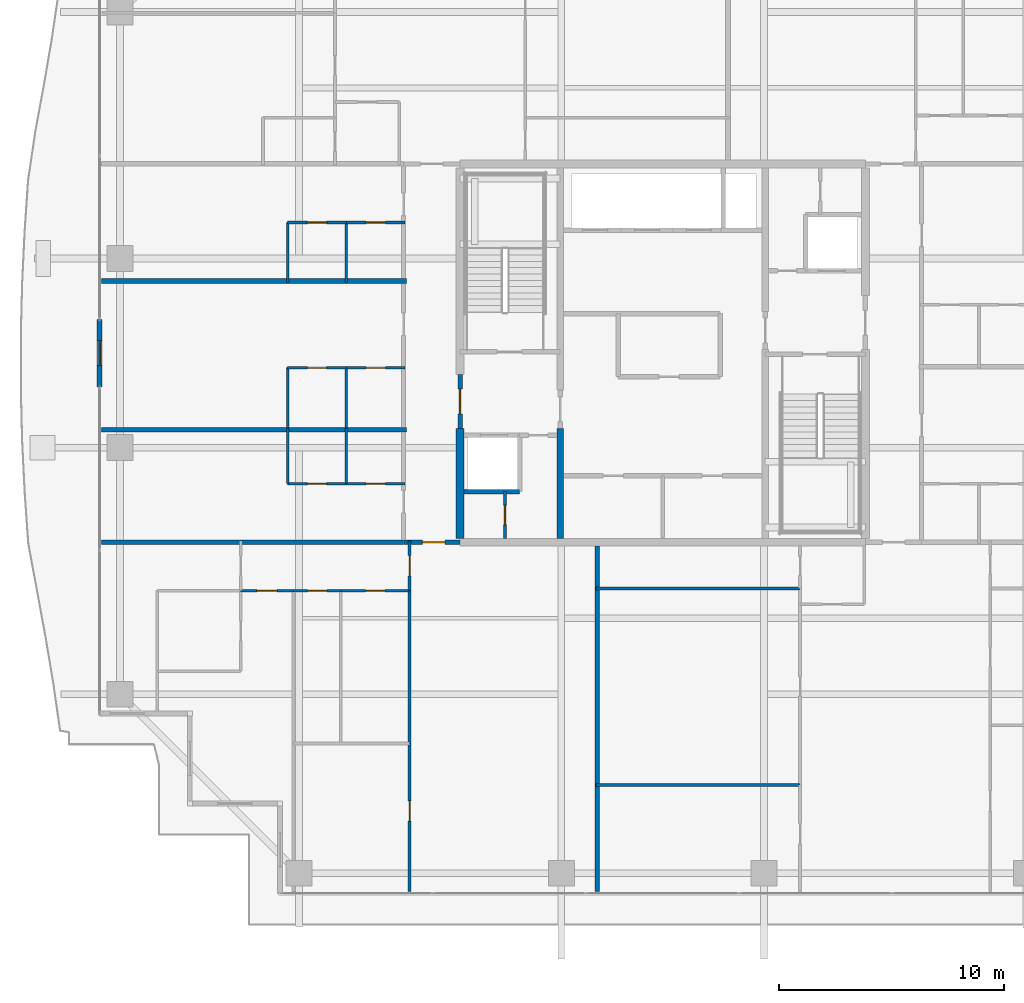
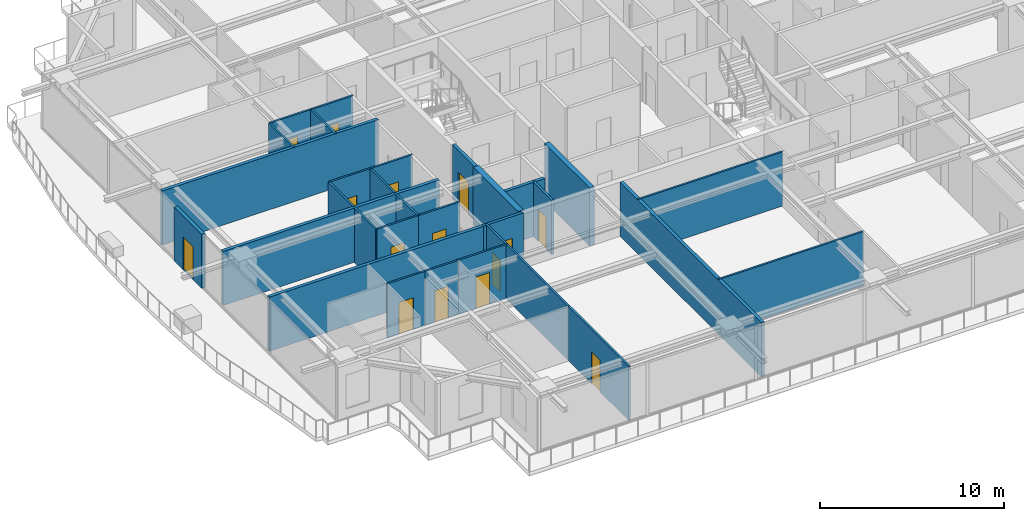
# One storey, part 27 of 38: 31 walls, 15 doors, 15 openings.
"""IFC4 building model written with IfcOpenShell, lengths in metres."""

from ifc_helpers import new_model, si_unit, direction, frame, frame_2d, origin, place, context, subcontext, project, spatial, rectangle, extrude, source, transform, mapped, material, layer, layer_set, type_object, element, fill, save


model = new_model("IFC4")

# Units and contexts
model_context = context("Model", 3, precision=1e-05, world=origin(), true_north=direction((0.0, 1.0)))
body_context = subcontext(model_context, "Body", "Model", "MODEL_VIEW")
ifc_project = project(units=[si_unit("LENGTHUNIT", "METRE"), si_unit("AREAUNIT", "SQUARE_METRE"), si_unit("VOLUMEUNIT", "CUBIC_METRE"), si_unit("PLANEANGLEUNIT", "RADIAN"), si_unit("MASSUNIT", "GRAM", prefix="KILO")], contexts=[model_context])

# Site, building, storey
site_placement = place(None, origin())
site = spatial("IfcSite", under=ifc_project, at=site_placement, CompositionType="ELEMENT")
building_placement = place(site_placement, origin())
building = spatial("IfcBuilding", under=site, at=building_placement, Name="Serunith Strait Residences", CompositionType="ELEMENT")
storey_placement = place(building_placement, frame((0.0, 0.0, 237.39990234375)))
storey = spatial("IfcBuildingStorey", under=building, at=storey_placement, Name="L59", CompositionType="ELEMENT", Elevation=237.39990234375)

# Wall, opening, door
ifc_material_1 = material(Name="Pale-Champagne Aluminium Insulated Panel", Category="aluminium")
ifc_layer_1 = layer(ifc_material_1, 0.219970703125, Name="Pale-Champagne Aluminium Insulated Panel")
ifc_layer_set_1 = layer_set([ifc_layer_1], Name="Pale-Champagne Aluminium Insulated Panel")
wall_type_1 = type_object("IfcWallType", Name="EW-ALUM-220", PredefinedType="ELEMENTEDWALL", material=ifc_layer_set_1)
wall_1_placement = place(storey_placement, frame((7.39990234375, 26.699951171875, 0.0), z_axis=(0.0, 0.0, 1.0), x_axis=(0.0, -1.0, 0.0)))
wall_1 = element("IfcWall", 1, at=wall_1_placement, inside=storey, type_object=wall_type_1, Name="L59 W Facade Pier Wall", PredefinedType="ELEMENTEDWALL", context=body_context, shape_type="SweptSolid", body=[
    extrude(rectangle(XDim=3.0, YDim=0.219970703125, at=frame_2d((1.5, 0.0))), origin(), (0.0, 0.0, 1.0), 3.5751953125),
])
opening_1_placement = place(wall_1_placement, frame((0.949951171875, 0.0, 0.0)))
opening_1 = element("IfcOpeningElement", 2, at=opening_1_placement, cuts=wall_1, Name="Opening ED-03", PredefinedType="OPENING", context=body_context, shape_type="SweptSolid", body=[
    extrude(rectangle(XDim=1.10009765625, YDim=2.199951171875, at=frame_2d((0.550048828125, 1.10009765625))), frame((0.0, 0.1201171875, 0.0), z_axis=(0.0, -1.0, 0.0), x_axis=(1.0, 0.0, 0.0)), (0.0, 0.0, 1.0), 0.239990234375),
])
ifc_material_2 = material(Name="Thermally-Broken Aluminium Glazed Balcony Door", Category="aluminium")
door_type_1 = type_object("IfcDoorType", Name="ED-BALC-1100", OperationType="NOTDEFINED", PredefinedType="DOOR", material=ifc_material_2)
shared_shape_1 = source(origin(), body_context, "Body", "SweptSolid", [
    extrude(rectangle(XDim=1.10009765625, YDim=2.199951171875, at=frame_2d((0.550048828125, 1.10009765625))), frame((0.0, 0.02490234375, 0.0), z_axis=(0.0, -1.0, 0.0), x_axis=(1.0, 0.0, 0.0)), (0.0, 0.0, 1.0), 0.050048828125),
])
door_1_placement = place(opening_1_placement, origin())
door_1 = element("IfcDoor", 3, at=door_1_placement, inside=storey, type_object=door_type_1, Name="L59 W Vertical-Forest Balcony Door", OperationType="SINGLE_SWING_LEFT", OverallHeight=2.199951171875, OverallWidth=1.10009765625, PredefinedType="DOOR", context=body_context, shape_type="MappedRepresentation", body=[
    mapped(shared_shape_1, transform((0.0, 0.0, 0.0), scale=1.0)),
])
fill(opening_1, door_1)

ifc_material_3 = material(Name="Fire-rated masonry service closet wall", Category="masonry")
ifc_layer_2 = layer(ifc_material_3, 0.14990234375, Name="Fire-rated masonry service closet wall")
ifc_layer_set_2 = layer_set([ifc_layer_2], Name="Fire-rated masonry service closet wall")
wall_type_2 = type_object("IfcWallType", Name="IW-BOH-150", PredefinedType="PARTITIONING", material=ifc_layer_set_2)
wall_2_placement = place(storey_placement, frame((25.39990234375, 16.97509765625, 0.0), z_axis=(0.0, 0.0, 1.0), x_axis=(0.0, 1.0, 0.0)))
wall_2 = element("IfcWall", 4, at=wall_2_placement, inside=storey, type_object=wall_type_2, Name="L59 Partition Wall 011", PredefinedType="PARTITIONING", context=body_context, shape_type="SweptSolid", body=[
    extrude(rectangle(XDim=2.074951171875, YDim=0.14990234375, at=frame_2d((1.03759765625, 0.0))), origin(), (0.0, 0.0, 1.0), 3.590087890625),
])
opening_2_placement = place(wall_2_placement, frame((0.612060546875, 0.0, 0.0)))
opening_2 = element("IfcOpeningElement", 5, at=opening_2_placement, cuts=wall_2, Name="Opening FD-850", PredefinedType="OPENING", context=body_context, shape_type="SweptSolid", body=[
    extrude(rectangle(XDim=0.85009765625, YDim=2.10009765625, at=frame_2d((0.425048828125, 1.050048828125))), frame((0.0, 0.0849609375, 0.0), z_axis=(0.0, -1.0, 0.0), x_axis=(1.0, 0.0, 0.0)), (0.0, 0.0, 1.0), 0.169921875),
])
ifc_material_4 = material(Name="Powder-coated steel service closet door", Category="steel")
door_type_2 = type_object("IfcDoorType", Name="FD-BOH-850", OperationType="NOTDEFINED", PredefinedType="DOOR", material=ifc_material_4)
shared_shape_2 = source(origin(), body_context, "Body", "SweptSolid", [
    extrude(rectangle(XDim=0.85009765625, YDim=2.10009765625, at=frame_2d((0.425048828125, 1.050048828125))), frame((0.0, 0.02490234375, 0.0), z_axis=(0.0, -1.0, 0.0), x_axis=(1.0, 0.0, 0.0)), (0.0, 0.0, 1.0), 0.050048828125),
])
door_2_placement = place(opening_2_placement, origin())
door_2 = element("IfcDoor", 6, at=door_2_placement, inside=storey, type_object=door_type_2, Name="L59 Sprinkler Plant Door", OperationType="SINGLE_SWING_LEFT", OverallHeight=2.10009765625, OverallWidth=0.85009765625, PredefinedType="DOOR", context=body_context, shape_type="MappedRepresentation", body=[
    mapped(shared_shape_2, transform((0.0, 0.0, 0.0), scale=1.0)),
])
fill(opening_2, door_2)

ifc_material_5 = material(Name="Fire-rated acoustic gypsum partition")
ifc_layer_3 = layer(ifc_material_5, 0.179931640625, Name="Fire-rated acoustic gypsum partition")
ifc_layer_set_3 = layer_set([ifc_layer_3], Name="Fire-rated acoustic gypsum partition")
wall_type_3 = type_object("IfcWallType", Name="IW-CORR-180", PredefinedType="PARTITIONING", material=ifc_layer_set_3)
wall_3_placement = place(storey_placement, frame((20.902099609375, 16.800048828125, 0.0), z_axis=(0.0, 0.0, 1.0), x_axis=(1.0, 0.0, 0.0)))
wall_3 = element("IfcWall", 7, at=wall_3_placement, inside=storey, type_object=wall_type_3, Name="L59 Partition Wall 029", PredefinedType="PARTITIONING", context=body_context, shape_type="SweptSolid", body=[
    extrude(rectangle(XDim=2.495849609375, YDim=0.179931640625, at=frame_2d((1.248046875, 0.0))), origin(), (0.0, 0.0, 1.0), 3.590087890625),
])
opening_3_placement = place(wall_3_placement, frame((0.830078125, 0.0, 0.0)))
opening_3 = element("IfcOpeningElement", 8, at=opening_3_placement, cuts=wall_3, Name="Opening D-APT1000", PredefinedType="OPENING", context=body_context, shape_type="SweptSolid", body=[
    extrude(rectangle(XDim=1.0, YDim=2.14990234375, at=frame_2d((0.5, 1.074951171875))), frame((0.0, 0.10009765625, 0.0), z_axis=(0.0, -1.0, 0.0), x_axis=(1.0, 0.0, 0.0)), (0.0, 0.0, 1.0), 0.199951171875),
])
ifc_material_6 = material(Name="Solid timber engineered fire door", Category="wood")
door_type_3 = type_object("IfcDoorType", Name="ID-APT-1000", OperationType="NOTDEFINED", PredefinedType="DOOR", material=ifc_material_6)
shared_shape_3 = source(origin(), body_context, "Body", "SweptSolid", [
    extrude(rectangle(XDim=1.0, YDim=2.14990234375, at=frame_2d((0.5, 1.074951171875))), frame((0.0, 0.02490234375, 0.0), z_axis=(0.0, -1.0, 0.0), x_axis=(1.0, 0.0, 0.0)), (0.0, 0.0, 1.0), 0.050048828125),
])
door_3_placement = place(opening_3_placement, origin())
door_3 = element("IfcDoor", 9, at=door_3_placement, inside=storey, type_object=door_type_3, Name="L59 Unit 01 Entrance Door", OperationType="SINGLE_SWING_RIGHT", OverallHeight=2.14990234375, OverallWidth=1.0, PredefinedType="DOOR", context=body_context, shape_type="MappedRepresentation", body=[
    mapped(shared_shape_3, transform((0.0, 0.0, 0.0), scale=1.0)),
])
fill(opening_3, door_3)

ifc_material_7 = material(Name="Lightweight steel-stud gypsum partition", Category="steel")
ifc_layer_4 = layer(ifc_material_7, 0.1201171875, Name="Lightweight steel-stud gypsum partition")
ifc_layer_set_4 = layer_set([ifc_layer_4], Name="Lightweight steel-stud gypsum partition")
wall_type_4 = type_object("IfcWallType", Name="IW-PART-120", PredefinedType="PARTITIONING", material=ifc_layer_set_4)
wall_4_placement = place(storey_placement, frame((21.159912109375, 14.64990234375, 0.0), z_axis=(0.0, 0.0, 1.0), x_axis=(0.0, 1.0, 0.0)))
wall_4 = element("IfcWall", 10, at=wall_4_placement, inside=storey, type_object=wall_type_4, Name="L59 Partition Wall 035", PredefinedType="PARTITIONING", context=body_context, shape_type="SweptSolid", body=[
    extrude(rectangle(XDim=2.210205078125, YDim=0.1201171875, at=frame_2d((1.10498046875, 0.0))), origin(), (0.0, 0.0, 1.0), 3.590087890625),
])
opening_4_placement = place(wall_4_placement, frame((0.655029296875, 0.0, 0.0)))
opening_4 = element("IfcOpeningElement", 11, at=opening_4_placement, cuts=wall_4, Name="Opening D-RM900", PredefinedType="OPENING", context=body_context, shape_type="SweptSolid", body=[
    extrude(rectangle(XDim=0.89990234375, YDim=2.10009765625, at=frame_2d((0.449951171875, 1.050048828125))), frame((0.0, 0.070068359375, 0.0), z_axis=(0.0, -1.0, 0.0), x_axis=(1.0, 0.0, 0.0)), (0.0, 0.0, 1.0), 0.14013671875),
])
ifc_material_8 = material(Name="Engineered timber flush bedroom door", Category="wood")
door_type_4 = type_object("IfcDoorType", Name="ID-ROOM-900", OperationType="NOTDEFINED", PredefinedType="DOOR", material=ifc_material_8)
shared_shape_4 = source(origin(), body_context, "Body", "SweptSolid", [
    extrude(rectangle(XDim=0.89990234375, YDim=2.10009765625, at=frame_2d((0.449951171875, 1.050048828125))), frame((0.0, 0.02490234375, 0.0), z_axis=(0.0, -1.0, 0.0), x_axis=(1.0, 0.0, 0.0)), (0.0, 0.0, 1.0), 0.050048828125),
])
door_4_placement = place(opening_4_placement, origin())
door_4 = element("IfcDoor", 12, at=door_4_placement, inside=storey, type_object=door_type_4, Name="L59 Hall W 5901 Door", OperationType="SINGLE_SWING_LEFT", OverallHeight=2.10009765625, OverallWidth=0.89990234375, PredefinedType="DOOR", context=body_context, shape_type="MappedRepresentation", body=[
    mapped(shared_shape_4, transform((0.0, 0.0, 0.0), scale=1.0)),
])
fill(opening_4, door_4)

wall_5_placement = place(storey_placement, frame((21.159912109375, 1.294921875, 0.0), z_axis=(0.0, 0.0, 1.0), x_axis=(0.0, 1.0, 0.0)))
wall_5 = element("IfcWall", 13, at=wall_5_placement, inside=storey, type_object=wall_type_4, Name="L59 Partition Wall 036", PredefinedType="PARTITIONING", context=body_context, shape_type="SweptSolid", body=[
    extrude(rectangle(XDim=6.565185546875, YDim=0.1201171875, at=frame_2d((3.28271484375, 0.0))), origin(), (0.0, 0.0, 1.0), 3.590087890625),
])
opening_5_placement = place(wall_5_placement, frame((3.115966796875, 0.0, 0.0)))
opening_5 = element("IfcOpeningElement", 14, at=opening_5_placement, cuts=wall_5, Name="Opening D-RM900", PredefinedType="OPENING", context=body_context, shape_type="SweptSolid", body=[
    extrude(rectangle(XDim=0.89990234375, YDim=2.10009765625, at=frame_2d((0.449951171875, 1.050048828125))), frame((0.0, 0.070068359375, 0.0), z_axis=(0.0, -1.0, 0.0), x_axis=(1.0, 0.0, 0.0)), (0.0, 0.0, 1.0), 0.14013671875),
])
door_5_placement = place(opening_5_placement, origin())
door_5 = element("IfcDoor", 15, at=door_5_placement, inside=storey, type_object=door_type_4, Name="L59 Formal Dining Room 1 5901 Door", OperationType="SINGLE_SWING_RIGHT", OverallHeight=2.10009765625, OverallWidth=0.89990234375, PredefinedType="DOOR", context=body_context, shape_type="MappedRepresentation", body=[
    mapped(shared_shape_4, transform((0.0, 0.0, 0.0), scale=1.0)),
])
fill(opening_5, door_5)

# Wall
wall_6_placement = place(storey_placement, frame((21.159912109375, 7.862060546875, 0.0), z_axis=(0.0, 0.0, 1.0), x_axis=(0.0, 1.0, 0.0)))
element("IfcWall", 16, at=wall_6_placement, inside=storey, type_object=wall_type_4, Name="L59 Partition Wall 037", PredefinedType="PARTITIONING", context=body_context, shape_type="SweptSolid", body=[
    extrude(rectangle(XDim=6.785888671875, YDim=0.1201171875, at=frame_2d((3.39306640625, 0.0))), origin(), (0.0, 0.0, 1.0), 3.590087890625),
])

# Wall, opening, door
wall_7_placement = place(storey_placement, frame((16.010009765625, 14.64990234375, 0.0), z_axis=(0.0, 0.0, 1.0), x_axis=(1.0, 0.0, 0.0)))
wall_7 = element("IfcWall", 17, at=wall_7_placement, inside=storey, type_object=wall_type_4, Name="L59 Partition Wall 041", PredefinedType="PARTITIONING", context=body_context, shape_type="SweptSolid", body=[
    extrude(rectangle(XDim=2.10009765625, YDim=0.1201171875, at=frame_2d((1.050048828125, 0.0))), origin(), (0.0, 0.0, 1.0), 3.590087890625),
])
opening_6_placement = place(wall_7_placement, frame((0.625, 0.0, 0.0)))
opening_6 = element("IfcOpeningElement", 18, at=opening_6_placement, cuts=wall_7, Name="Opening D-BTH850", PredefinedType="OPENING", context=body_context, shape_type="SweptSolid", body=[
    extrude(rectangle(XDim=0.85009765625, YDim=2.10009765625, at=frame_2d((0.425048828125, 1.050048828125))), frame((0.0, 0.070068359375, 0.0), z_axis=(0.0, -1.0, 0.0), x_axis=(1.0, 0.0, 0.0)), (0.0, 0.0, 1.0), 0.14013671875),
])
ifc_material_9 = material(Name="Moisture-resistant timber bathroom door", Category="wood")
door_type_5 = type_object("IfcDoorType", Name="ID-BATH-850", OperationType="NOTDEFINED", PredefinedType="DOOR", material=ifc_material_9)
door_6_placement = place(opening_6_placement, origin())
door_6 = element("IfcDoor", 19, at=door_6_placement, inside=storey, type_object=door_type_5, Name="L59 Bathroom 5901 Door", OperationType="SINGLE_SWING_LEFT", OverallHeight=2.10009765625, OverallWidth=0.85009765625, PredefinedType="DOOR", context=body_context, shape_type="MappedRepresentation", body=[
    mapped(shared_shape_2, transform((0.0, 0.0, 0.0), scale=1.0)),
])
fill(opening_6, door_6)

wall_8_placement = place(storey_placement, frame((18.112060546875, 14.64990234375, 0.0), z_axis=(0.0, 0.0, 1.0), x_axis=(1.0, 0.0, 0.0)))
wall_8 = element("IfcWall", 20, at=wall_8_placement, inside=storey, type_object=wall_type_4, Name="L59 Partition Wall 042", PredefinedType="PARTITIONING", context=body_context, shape_type="SweptSolid", body=[
    extrude(rectangle(XDim=3.0478515625, YDim=0.1201171875, at=frame_2d((1.52392578125, 0.0))), origin(), (0.0, 0.0, 1.0), 3.590087890625),
])
opening_7_placement = place(wall_8_placement, frame((1.09912109375, 0.0, 0.0)))
opening_7 = element("IfcOpeningElement", 21, at=opening_7_placement, cuts=wall_8, Name="Opening D-RM850", PredefinedType="OPENING", context=body_context, shape_type="SweptSolid", body=[
    extrude(rectangle(XDim=0.85009765625, YDim=2.10009765625, at=frame_2d((0.425048828125, 1.050048828125))), frame((0.0, 0.070068359375, 0.0), z_axis=(0.0, -1.0, 0.0), x_axis=(1.0, 0.0, 0.0)), (0.0, 0.0, 1.0), 0.14013671875),
])
ifc_material_10 = material(Name="Engineered timber flush study and kitchen door", Category="wood")
door_type_6 = type_object("IfcDoorType", Name="ID-ROOM-850", OperationType="NOTDEFINED", PredefinedType="DOOR", material=ifc_material_10)
door_7_placement = place(opening_7_placement, origin())
door_7 = element("IfcDoor", 22, at=door_7_placement, inside=storey, type_object=door_type_6, Name="L59 Kitchen 5901 Door", OperationType="SINGLE_SWING_RIGHT", OverallHeight=2.10009765625, OverallWidth=0.85009765625, PredefinedType="DOOR", context=body_context, shape_type="MappedRepresentation", body=[
    mapped(shared_shape_2, transform((0.0, 0.0, 0.0), scale=1.0)),
])
fill(opening_7, door_7)

wall_9_placement = place(storey_placement, frame((13.659912109375, 14.64990234375, 0.0), z_axis=(0.0, 0.0, 1.0), x_axis=(1.0, 0.0, 0.0)))
wall_9 = element("IfcWall", 23, at=wall_9_placement, inside=storey, type_object=wall_type_4, Name="L59 Partition Wall 043", PredefinedType="PARTITIONING", context=body_context, shape_type="SweptSolid", body=[
    extrude(rectangle(XDim=2.34814453125, YDim=0.1201171875, at=frame_2d((1.174072265625, 0.0))), origin(), (0.0, 0.0, 1.0), 3.590087890625),
])
opening_8_placement = place(wall_9_placement, frame((0.72412109375, 0.0, 0.0)))
opening_8 = element("IfcOpeningElement", 24, at=opening_8_placement, cuts=wall_9, Name="Opening D-RM900", PredefinedType="OPENING", context=body_context, shape_type="SweptSolid", body=[
    extrude(rectangle(XDim=0.89990234375, YDim=2.10009765625, at=frame_2d((0.449951171875, 1.050048828125))), frame((0.0, 0.070068359375, 0.0), z_axis=(0.0, -1.0, 0.0), x_axis=(1.0, 0.0, 0.0)), (0.0, 0.0, 1.0), 0.14013671875),
])
door_8_placement = place(opening_8_placement, origin())
door_8 = element("IfcDoor", 25, at=door_8_placement, inside=storey, type_object=door_type_4, Name="L59 Master Bedroom W 5901 Door", OperationType="SINGLE_SWING_LEFT", OverallHeight=2.10009765625, OverallWidth=0.89990234375, PredefinedType="DOOR", context=body_context, shape_type="MappedRepresentation", body=[
    mapped(shared_shape_4, transform((0.0, 0.0, 0.0), scale=1.0)),
])
fill(opening_8, door_8)

# Walls
for number, where, z_axis, x_axis, name in (
    (26, (29.43994140625, 6.02197265625, 0.0), (0.0, 0.0, 1.0), (1.0, 0.0, 0.0), "L59 Partition Wall 052"),
    (27, (29.43994140625, 14.75, 0.0), (0.0, 0.0, 1.0), (1.0, 0.0, 0.0), "L59 Partition Wall 053"),
):
    element("IfcWall", number, at=place(storey_placement, frame(where, z_axis=z_axis, x_axis=x_axis)), inside=storey, type_object=wall_type_4, Name=name, PredefinedType="PARTITIONING", context=body_context, shape_type="SweptSolid", body=[
        extrude(rectangle(XDim=9.06005859375, YDim=0.1201171875, at=frame_2d((4.530029296875, 0.0))), origin(), (0.0, 0.0, 1.0), 3.590087890625),
    ])

# Wall, opening, door
wall_10_placement = place(storey_placement, frame((15.75, 19.39990234375, 0.0), z_axis=(0.0, 0.0, 1.0), x_axis=(1.0, 0.0, 0.0)))
wall_10 = element("IfcWall", 28, at=wall_10_placement, inside=storey, type_object=wall_type_4, Name="L59 Partition Wall 089", PredefinedType="PARTITIONING", context=body_context, shape_type="SweptSolid", body=[
    extrude(rectangle(XDim=2.60009765625, YDim=0.1201171875, at=frame_2d((1.300048828125, 0.0))), origin(), (0.0, 0.0, 1.0), 3.590087890625),
])
opening_9_placement = place(wall_10_placement, frame((0.875, 0.0, 0.0)))
opening_9 = element("IfcOpeningElement", 29, at=opening_9_placement, cuts=wall_10, Name="Opening D-RM850", PredefinedType="OPENING", context=body_context, shape_type="SweptSolid", body=[
    extrude(rectangle(XDim=0.85009765625, YDim=2.10009765625, at=frame_2d((0.425048828125, 1.050048828125))), frame((0.0, 0.070068359375, 0.0), z_axis=(0.0, -1.0, 0.0), x_axis=(1.0, 0.0, 0.0)), (0.0, 0.0, 1.0), 0.14013671875),
])
door_9_placement = place(opening_9_placement, origin())
door_9 = element("IfcDoor", 30, at=door_9_placement, inside=storey, type_object=door_type_6, Name="L59 Kitchen 5905 Door", OperationType="SINGLE_SWING_LEFT", OverallHeight=2.10009765625, OverallWidth=0.85009765625, PredefinedType="DOOR", context=body_context, shape_type="MappedRepresentation", body=[
    mapped(shared_shape_2, transform((0.0, 0.0, 0.0), scale=1.0)),
])
fill(opening_9, door_9)

wall_11_placement = place(storey_placement, frame((18.35205078125, 19.39990234375, 0.0), z_axis=(0.0, 0.0, 1.0), x_axis=(1.0, 0.0, 0.0)))
wall_11 = element("IfcWall", 31, at=wall_11_placement, inside=storey, type_object=wall_type_4, Name="L59 Partition Wall 090", PredefinedType="PARTITIONING", context=body_context, shape_type="SweptSolid", body=[
    extrude(rectangle(XDim=2.60791015625, YDim=0.1201171875, at=frame_2d((1.303955078125, 0.0))), origin(), (0.0, 0.0, 1.0), 3.590087890625),
])
opening_10_placement = place(wall_11_placement, frame((0.87890625, 0.0, 0.0)))
opening_10 = element("IfcOpeningElement", 32, at=opening_10_placement, cuts=wall_11, Name="Opening D-BTH850", PredefinedType="OPENING", context=body_context, shape_type="SweptSolid", body=[
    extrude(rectangle(XDim=0.85009765625, YDim=2.10009765625, at=frame_2d((0.425048828125, 1.050048828125))), frame((0.0, 0.070068359375, 0.0), z_axis=(0.0, -1.0, 0.0), x_axis=(1.0, 0.0, 0.0)), (0.0, 0.0, 1.0), 0.14013671875),
])
door_10_placement = place(opening_10_placement, origin())
door_10 = element("IfcDoor", 33, at=door_10_placement, inside=storey, type_object=door_type_5, Name="L59 Bathroom 5905 Door", OperationType="SINGLE_SWING_RIGHT", OverallHeight=2.10009765625, OverallWidth=0.85009765625, PredefinedType="DOOR", context=body_context, shape_type="MappedRepresentation", body=[
    mapped(shared_shape_2, transform((0.0, 0.0, 0.0), scale=1.0)),
])
fill(opening_10, door_10)

# Walls
for number, where, z_axis, x_axis, name in (
    (34, (18.35009765625, 19.39990234375, 0.0), (0.0, 0.0, 1.0), (0.0, 1.0, 0.0), "L59 Partition Wall 091"),
    (35, (15.75, 19.39990234375, 0.0), (0.0, 0.0, 1.0), (0.0, 1.0, 0.0), "L59 Partition Wall 092"),
):
    element("IfcWall", number, at=place(storey_placement, frame(where, z_axis=z_axis, x_axis=x_axis)), inside=storey, type_object=wall_type_4, Name=name, PredefinedType="PARTITIONING", context=body_context, shape_type="SweptSolid", body=[
        extrude(rectangle(XDim=2.460205078125, YDim=0.1201171875, at=frame_2d((1.22998046875, 0.0))), origin(), (0.0, 0.0, 1.0), 3.590087890625),
    ])

# Wall, opening, door
wall_12_placement = place(storey_placement, frame((15.75, 24.550048828125, 0.0), z_axis=(0.0, 0.0, 1.0), x_axis=(1.0, 0.0, 0.0)))
wall_12 = element("IfcWall", 36, at=wall_12_placement, inside=storey, type_object=wall_type_4, Name="L59 Partition Wall 093", PredefinedType="PARTITIONING", context=body_context, shape_type="SweptSolid", body=[
    extrude(rectangle(XDim=2.60009765625, YDim=0.1201171875, at=frame_2d((1.300048828125, 0.0))), origin(), (0.0, 0.0, 1.0), 3.590087890625),
])
opening_11_placement = place(wall_12_placement, frame((0.875, 0.0, 0.0)))
opening_11 = element("IfcOpeningElement", 37, at=opening_11_placement, cuts=wall_12, Name="Opening D-RM850", PredefinedType="OPENING", context=body_context, shape_type="SweptSolid", body=[
    extrude(rectangle(XDim=0.85009765625, YDim=2.10009765625, at=frame_2d((0.425048828125, 1.050048828125))), frame((0.0, 0.070068359375, 0.0), z_axis=(0.0, -1.0, 0.0), x_axis=(1.0, 0.0, 0.0)), (0.0, 0.0, 1.0), 0.14013671875),
])
door_11_placement = place(opening_11_placement, origin())
door_11 = element("IfcDoor", 38, at=door_11_placement, inside=storey, type_object=door_type_6, Name="L59 Kitchen 5906 Door", OperationType="SINGLE_SWING_LEFT", OverallHeight=2.10009765625, OverallWidth=0.85009765625, PredefinedType="DOOR", context=body_context, shape_type="MappedRepresentation", body=[
    mapped(shared_shape_2, transform((0.0, 0.0, 0.0), scale=1.0)),
])
fill(opening_11, door_11)

wall_13_placement = place(storey_placement, frame((18.35205078125, 24.550048828125, 0.0), z_axis=(0.0, 0.0, 1.0), x_axis=(1.0, 0.0, 0.0)))
wall_13 = element("IfcWall", 39, at=wall_13_placement, inside=storey, type_object=wall_type_4, Name="L59 Partition Wall 094", PredefinedType="PARTITIONING", context=body_context, shape_type="SweptSolid", body=[
    extrude(rectangle(XDim=2.60791015625, YDim=0.1201171875, at=frame_2d((1.303955078125, 0.0))), origin(), (0.0, 0.0, 1.0), 3.590087890625),
])
opening_12_placement = place(wall_13_placement, frame((0.87890625, 0.0, 0.0)))
opening_12 = element("IfcOpeningElement", 40, at=opening_12_placement, cuts=wall_13, Name="Opening D-BTH850", PredefinedType="OPENING", context=body_context, shape_type="SweptSolid", body=[
    extrude(rectangle(XDim=0.85009765625, YDim=2.10009765625, at=frame_2d((0.425048828125, 1.050048828125))), frame((0.0, 0.070068359375, 0.0), z_axis=(0.0, -1.0, 0.0), x_axis=(1.0, 0.0, 0.0)), (0.0, 0.0, 1.0), 0.14013671875),
])
door_12_placement = place(opening_12_placement, origin())
door_12 = element("IfcDoor", 41, at=door_12_placement, inside=storey, type_object=door_type_5, Name="L59 Bathroom 5906 Door", OperationType="SINGLE_SWING_RIGHT", OverallHeight=2.10009765625, OverallWidth=0.85009765625, PredefinedType="DOOR", context=body_context, shape_type="MappedRepresentation", body=[
    mapped(shared_shape_2, transform((0.0, 0.0, 0.0), scale=1.0)),
])
fill(opening_12, door_12)

# Walls
for number, where, z_axis, x_axis, name in (
    (42, (18.35009765625, 21.862060546875, 0.0), (0.0, 0.0, 1.0), (0.0, 1.0, 0.0), "L59 Partition Wall 095"),
    (43, (15.75, 21.862060546875, 0.0), (0.0, 0.0, 1.0), (0.0, 1.0, 0.0), "L59 Partition Wall 096"),
):
    element("IfcWall", number, at=place(storey_placement, frame(where, z_axis=z_axis, x_axis=x_axis)), inside=storey, type_object=wall_type_4, Name=name, PredefinedType="PARTITIONING", context=body_context, shape_type="SweptSolid", body=[
        extrude(rectangle(XDim=2.68798828125, YDim=0.1201171875, at=frame_2d((1.343994140625, 0.0))), origin(), (0.0, 0.0, 1.0), 3.590087890625),
    ])

# Wall, opening, door
wall_14_placement = place(storey_placement, frame((15.75, 31.0, 0.0), z_axis=(0.0, 0.0, 1.0), x_axis=(1.0, 0.0, 0.0)))
wall_14 = element("IfcWall", 44, at=wall_14_placement, inside=storey, type_object=wall_type_4, Name="L59 Partition Wall 097", PredefinedType="PARTITIONING", context=body_context, shape_type="SweptSolid", body=[
    extrude(rectangle(XDim=2.60009765625, YDim=0.1201171875, at=frame_2d((1.300048828125, 0.0))), origin(), (0.0, 0.0, 1.0), 3.590087890625),
])
opening_13_placement = place(wall_14_placement, frame((0.875, 0.0, 0.0)))
opening_13 = element("IfcOpeningElement", 45, at=opening_13_placement, cuts=wall_14, Name="Opening D-RM850", PredefinedType="OPENING", context=body_context, shape_type="SweptSolid", body=[
    extrude(rectangle(XDim=0.85009765625, YDim=2.10009765625, at=frame_2d((0.425048828125, 1.050048828125))), frame((0.0, 0.070068359375, 0.0), z_axis=(0.0, -1.0, 0.0), x_axis=(1.0, 0.0, 0.0)), (0.0, 0.0, 1.0), 0.14013671875),
])
door_13_placement = place(opening_13_placement, origin())
door_13 = element("IfcDoor", 46, at=door_13_placement, inside=storey, type_object=door_type_6, Name="L59 Kitchen 5907 Door", OperationType="SINGLE_SWING_LEFT", OverallHeight=2.10009765625, OverallWidth=0.85009765625, PredefinedType="DOOR", context=body_context, shape_type="MappedRepresentation", body=[
    mapped(shared_shape_2, transform((0.0, 0.0, 0.0), scale=1.0)),
])
fill(opening_13, door_13)

wall_15_placement = place(storey_placement, frame((18.35205078125, 31.0, 0.0), z_axis=(0.0, 0.0, 1.0), x_axis=(1.0, 0.0, 0.0)))
wall_15 = element("IfcWall", 47, at=wall_15_placement, inside=storey, type_object=wall_type_4, Name="L59 Partition Wall 098", PredefinedType="PARTITIONING", context=body_context, shape_type="SweptSolid", body=[
    extrude(rectangle(XDim=2.60791015625, YDim=0.1201171875, at=frame_2d((1.303955078125, 0.0))), origin(), (0.0, 0.0, 1.0), 3.590087890625),
])
opening_14_placement = place(wall_15_placement, frame((0.87890625, 0.0, 0.0)))
opening_14 = element("IfcOpeningElement", 48, at=opening_14_placement, cuts=wall_15, Name="Opening D-BTH850", PredefinedType="OPENING", context=body_context, shape_type="SweptSolid", body=[
    extrude(rectangle(XDim=0.85009765625, YDim=2.10009765625, at=frame_2d((0.425048828125, 1.050048828125))), frame((0.0, 0.070068359375, 0.0), z_axis=(0.0, -1.0, 0.0), x_axis=(1.0, 0.0, 0.0)), (0.0, 0.0, 1.0), 0.14013671875),
])
door_14_placement = place(opening_14_placement, origin())
door_14 = element("IfcDoor", 49, at=door_14_placement, inside=storey, type_object=door_type_5, Name="L59 Bathroom 5907 Door", OperationType="SINGLE_SWING_RIGHT", OverallHeight=2.10009765625, OverallWidth=0.85009765625, PredefinedType="DOOR", context=body_context, shape_type="MappedRepresentation", body=[
    mapped(shared_shape_2, transform((0.0, 0.0, 0.0), scale=1.0)),
])
fill(opening_14, door_14)

# Walls
for number, where, z_axis, x_axis, name in (
    (50, (18.35009765625, 28.340087890625, 0.0), (0.0, 0.0, 1.0), (0.0, 1.0, 0.0), "L59 Partition Wall 099"),
    (51, (15.75, 28.340087890625, 0.0), (0.0, 0.0, 1.0), (0.0, 1.0, 0.0), "L59 Partition Wall 100"),
):
    element("IfcWall", number, at=place(storey_placement, frame(where, z_axis=z_axis, x_axis=x_axis)), inside=storey, type_object=wall_type_4, Name=name, PredefinedType="PARTITIONING", context=body_context, shape_type="SweptSolid", body=[
        extrude(rectangle(XDim=2.659912109375, YDim=0.1201171875, at=frame_2d((1.330078125, 0.0))), origin(), (0.0, 0.0, 1.0), 3.590087890625),
    ])
ifc_material_11 = material(Name="Twin-stud acoustic gypsum board partition")
ifc_layer_5 = layer(ifc_material_11, 0.199951171875, Name="Twin-stud acoustic gypsum board partition")
ifc_layer_set_5 = layer_set([ifc_layer_5], Name="Twin-stud acoustic gypsum board partition")
wall_type_5 = type_object("IfcWallType", Name="IW-PARTY-200", PredefinedType="PARTITIONING", material=ifc_layer_set_5)
wall_16_placement = place(storey_placement, frame((29.5, 1.281982421875, 0.0), z_axis=(0.0, 0.0, 1.0), x_axis=(0.0, 1.0, 0.0)))
element("IfcWall", 52, at=wall_16_placement, inside=storey, type_object=wall_type_5, Name="L59 Partition Wall 020", PredefinedType="PARTITIONING", context=body_context, shape_type="SweptSolid", body=[
    extrude(rectangle(XDim=15.343017578125, YDim=0.199951171875, at=frame_2d((7.67138671875, 0.0))), origin(), (0.0, 0.0, 1.0), 3.590087890625),
])
for number, where, z_axis, x_axis, name in (
    (53, (7.48193359375, 21.800048828125, 0.0), (0.0, 0.0, 1.0), (1.0, 0.0, 0.0), "L59 Partition Wall 022"),
    (54, (7.48193359375, 28.39990234375, 0.0), (0.0, 0.0, 1.0), (1.0, 0.0, 0.0), "L59 Partition Wall 023"),
):
    element("IfcWall", number, at=place(storey_placement, frame(where, z_axis=z_axis, x_axis=x_axis)), inside=storey, type_object=wall_type_5, Name=name, PredefinedType="PARTITIONING", context=body_context, shape_type="SweptSolid", body=[
        extrude(rectangle(XDim=13.5380859375, YDim=0.199951171875, at=frame_2d((6.76904296875, 0.0))), origin(), (0.0, 0.0, 1.0), 3.590087890625),
    ])
wall_17_placement = place(storey_placement, frame((7.48193359375, 16.800048828125, 0.0), z_axis=(0.0, 0.0, 1.0), x_axis=(1.0, 0.0, 0.0)))
element("IfcWall", 55, at=wall_17_placement, inside=storey, type_object=wall_type_5, Name="L59 Partition Wall 025", PredefinedType="PARTITIONING", context=body_context, shape_type="SweptSolid", body=[
    extrude(rectangle(XDim=13.41796875, YDim=0.199951171875, at=frame_2d((6.708984375, 0.0))), origin(), (0.0, 0.0, 1.0), 3.590087890625),
])
ifc_material_12 = material(Name="Autoclaved aerated concrete blockwork", Category="masonry")
ifc_layer_6 = layer(ifc_material_12, 0.199951171875, Name="Autoclaved aerated concrete blockwork")
ifc_layer_set_6 = layer_set([ifc_layer_6], Name="Autoclaved aerated concrete blockwork")
wall_type_6 = type_object("IfcWallType", Name="IW-SHAFT-200", PredefinedType="STANDARD", material=ifc_layer_set_6)
wall_18_placement = place(storey_placement, frame((23.574951171875, 19.050048828125, 0.0), z_axis=(0.0, 0.0, 1.0), x_axis=(1.0, 0.0, 0.0)))
element("IfcWall", 56, at=wall_18_placement, inside=storey, type_object=wall_type_6, Name="L59 Partition Wall 002", PredefinedType="STANDARD", context=body_context, shape_type="SweptSolid", body=[
    extrude(rectangle(XDim=2.47509765625, YDim=0.199951171875, at=frame_2d((1.237548828125, 0.0))), origin(), (0.0, 0.0, 1.0), 3.590087890625),
])

# Wall, opening, door
wall_19_placement = place(storey_placement, frame((23.39990234375, 21.85205078125, 0.0), z_axis=(0.0, 0.0, 1.0), x_axis=(0.0, 1.0, 0.0)))
wall_19 = element("IfcWall", 57, at=wall_19_placement, inside=storey, type_object=wall_type_6, Name="L59 Partition Wall 007", PredefinedType="STANDARD", context=body_context, shape_type="SweptSolid", body=[
    extrude(rectangle(XDim=2.39599609375, YDim=0.199951171875, at=frame_2d((1.197998046875, 0.0))), origin(), (0.0, 0.0, 1.0), 3.590087890625),
])
opening_15_placement = place(wall_19_placement, frame((0.64794921875, 0.0, 0.0)))
opening_15 = element("IfcOpeningElement", 58, at=opening_15_placement, cuts=wall_19, Name="Opening FD-FFL", PredefinedType="OPENING", context=body_context, shape_type="SweptSolid", body=[
    extrude(rectangle(XDim=1.10009765625, YDim=2.14990234375, at=frame_2d((0.550048828125, 1.074951171875))), frame((0.0, 0.10986328125, 0.0), z_axis=(0.0, -1.0, 0.0), x_axis=(1.0, 0.0, 0.0)), (0.0, 0.0, 1.0), 0.219970703125),
])
ifc_material_13 = material(Name="Glazed steel smoke-lobby fire door", Category="steel")
door_type_7 = type_object("IfcDoorType", Name="FD-FFL-1100", OperationType="NOTDEFINED", PredefinedType="DOOR", material=ifc_material_13)
shared_shape_5 = source(origin(), body_context, "Body", "SweptSolid", [
    extrude(rectangle(XDim=1.10009765625, YDim=2.14990234375, at=frame_2d((0.550048828125, 1.074951171875))), frame((0.0, 0.02490234375, 0.0), z_axis=(0.0, -1.0, 0.0), x_axis=(1.0, 0.0, 0.0)), (0.0, 0.0, 1.0), 0.050048828125),
])
door_15_placement = place(opening_15_placement, origin())
door_15 = element("IfcDoor", 59, at=door_15_placement, inside=storey, type_object=door_type_7, Name="L59 FFL-1 Corridor Fire Door", OperationType="SINGLE_SWING_LEFT", OverallHeight=2.14990234375, OverallWidth=1.10009765625, PredefinedType="DOOR", context=body_context, shape_type="MappedRepresentation", body=[
    mapped(shared_shape_5, transform((0.0, 0.0, 0.0), scale=1.0)),
])
fill(opening_15, door_15)

# Walls
ifc_material_14 = material(Name="Concrete C60/75", Category="concrete")
ifc_layer_7 = layer(ifc_material_14, 0.300048828125, Name="Concrete C60/75")
ifc_layer_set_7 = layer_set([ifc_layer_7], Name="Concrete C60/75")
wall_type_7 = type_object("IfcWallType", Name="SW-300-C60", PredefinedType="SHEAR", material=ifc_layer_set_7)
wall_20_placement = place(storey_placement, frame((27.85009765625, 16.97509765625, -0.260009765625), z_axis=(0.0, 0.0, 1.0), x_axis=(0.0, 1.0, 0.0)))
element("IfcWall", 60, at=wall_20_placement, inside=storey, type_object=wall_type_7, Name="L59 Core Internal West Web South Pier", PredefinedType="SHEAR", context=body_context, shape_type="SweptSolid", body=[
    extrude(rectangle(XDim=4.875, YDim=0.300048828125, at=frame_2d((2.4375, 0.0))), origin(), (0.0, 0.0, 1.0), 3.84814453125),
])
ifc_layer_8 = layer(ifc_material_14, 0.35009765625, Name="Concrete C60/75")
ifc_layer_set_8 = layer_set([ifc_layer_8], Name="Concrete C60/75")
wall_type_8 = type_object("IfcWallType", Name="SW-350-C60", PredefinedType="SHEAR", material=ifc_layer_set_8)
wall_21_placement = place(storey_placement, frame((23.39990234375, 16.97509765625, -0.260009765625), z_axis=(0.0, 0.0, 1.0), x_axis=(0.0, 1.0, 0.0)))
element("IfcWall", 61, at=wall_21_placement, inside=storey, type_object=wall_type_8, Name="L59 Core West Shear Wall South Pier", PredefinedType="SHEAR", context=body_context, shape_type="SweptSolid", body=[
    extrude(rectangle(XDim=4.875, YDim=0.35009765625, at=frame_2d((2.4375, 0.0))), origin(), (0.0, 0.0, 1.0), 3.84814453125),
])

save(model, "model.ifc")
